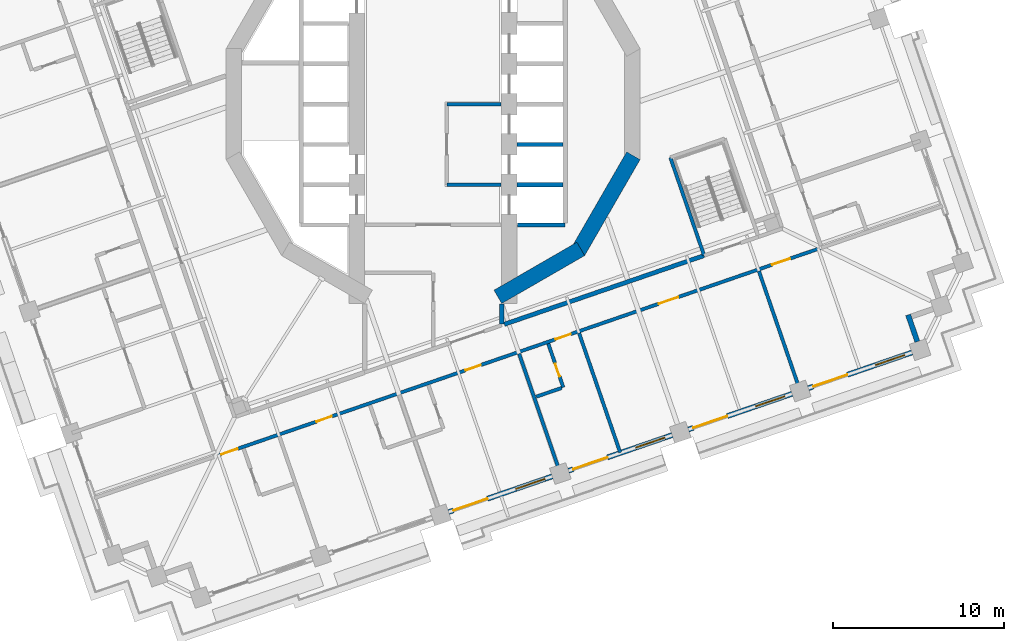
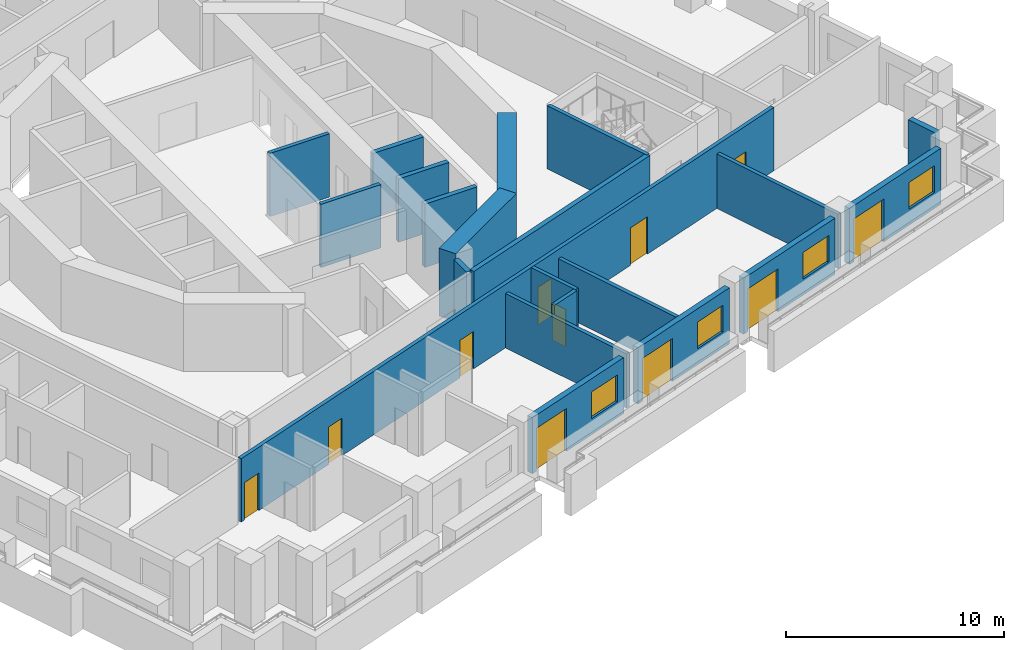
# One storey, part 6 of 19: 21 walls, 11 doors, 4 windows, 15 openings.
"""IFC4 building model written with IfcOpenShell, lengths in metres."""

from ifc_helpers import new_model, si_unit, direction, frame, frame_2d, origin, place, context, subcontext, project, spatial, rectangle, extrude, material, layer, layer_set, type_object, element, fill, save


model = new_model("IFC4")

# Units and contexts
model_context = context("Model", 3, precision=1e-05, world=origin(), true_north=direction((0.0, 1.0)))
body_context = subcontext(model_context, "Body", "Model", "MODEL_VIEW")
ifc_project = project(units=[si_unit("LENGTHUNIT", "METRE"), si_unit("AREAUNIT", "SQUARE_METRE"), si_unit("VOLUMEUNIT", "CUBIC_METRE"), si_unit("PLANEANGLEUNIT", "RADIAN"), si_unit("MASSUNIT", "GRAM", prefix="KILO")], contexts=[model_context])

# Site, building, storey
site_placement = place(None, origin())
site = spatial("IfcSite", under=ifc_project, at=site_placement, CompositionType="ELEMENT")
building_placement = place(site_placement, origin())
building = spatial("IfcBuilding", under=site, at=building_placement, Name="Cantera Rosa Tower", CompositionType="ELEMENT")
storey_placement = place(building_placement, frame((0.0, 0.0, 111.699951171875)))
storey = spatial("IfcBuildingStorey", under=building, at=storey_placement, Name="L22", CompositionType="ELEMENT", Elevation=111.699951171875)

# Wall, openings, doors
ifc_material_1 = material(Name="Gypsum board partition")
ifc_layer_1 = layer(ifc_material_1, 0.199951171875)
ifc_layer_set_1 = layer_set([ifc_layer_1], Name="CORRIDOR WALL 200 H3550")
wall_type_1 = type_object("IfcWallType", Name="CORRIDOR WALL 200 H3550", PredefinedType="PARTITIONING", material=ifc_layer_set_1)
wall_1_placement = place(storey_placement, frame((-12.58642578125, -20.515380859375, 0.0), z_axis=(0.0, 0.0, 1.0), x_axis=(0.945519939336, 0.325564193852, 0.0)))
wall_1 = element("IfcWall", 1, at=wall_1_placement, inside=storey, type_object=wall_type_1, Name="CORRIDOR WALL L22-028", PredefinedType="PARTITIONING", context=body_context, shape_type="SweptSolid", body=[
    extrude(rectangle(XDim=37.27978515625, YDim=0.199951171875, at=frame_2d((18.639892578125, 0.0))), origin(), (0.0, 0.0, 1.0), 3.550048828125),
])
opening_1_placement = place(wall_1_placement, frame((6.10498046875, 0.0, 0.0)))
opening_1 = element("IfcOpeningElement", 2, at=opening_1_placement, cuts=wall_1, Name="Opening L22-035", PredefinedType="OPENING", context=body_context, shape_type="SweptSolid", body=[
    extrude(rectangle(XDim=0.949951171875, YDim=2.10009765625, at=frame_2d((0.47509765625, 1.050048828125))), frame((0.0, 0.10986328125, 0.0), z_axis=(0.0, -1.0, 0.0), x_axis=(1.0, 0.0, 0.0)), (0.0, 0.0, 1.0), 0.219970703125),
])
opening_2_placement = place(wall_1_placement, frame((15.304931640625, 0.0, 0.0)))
opening_2 = element("IfcOpeningElement", 3, at=opening_2_placement, cuts=wall_1, Name="Opening L22-037", PredefinedType="OPENING", context=body_context, shape_type="SweptSolid", body=[
    extrude(rectangle(XDim=0.949951171875, YDim=2.10009765625, at=frame_2d((0.47509765625, 1.050048828125))), frame((0.0, 0.10986328125, 0.0), z_axis=(0.0, -1.0, 0.0), x_axis=(1.0, 0.0, 0.0)), (0.0, 0.0, 1.0), 0.219970703125),
])
opening_3_placement = place(wall_1_placement, frame((27.22998046875, 0.0, 0.0)))
opening_3 = element("IfcOpeningElement", 4, at=opening_3_placement, cuts=wall_1, Name="Opening L22-039", PredefinedType="OPENING", context=body_context, shape_type="SweptSolid", body=[
    extrude(rectangle(XDim=1.199951171875, YDim=2.10009765625, at=frame_2d((0.60009765625, 1.050048828125))), frame((0.0, 0.10986328125, 0.0), z_axis=(0.0, -1.0, 0.0), x_axis=(1.0, 0.0, 0.0)), (0.0, 0.0, 1.0), 0.219970703125),
])
opening_4_placement = place(wall_1_placement, frame((20.85498046875, 0.0, 0.0)))
opening_4 = element("IfcOpeningElement", 5, at=opening_4_placement, cuts=wall_1, Name="Opening L22-040", PredefinedType="OPENING", context=body_context, shape_type="SweptSolid", body=[
    extrude(rectangle(XDim=0.949951171875, YDim=2.10009765625, at=frame_2d((0.47509765625, 1.050048828125))), frame((0.0, 0.10986328125, 0.0), z_axis=(0.0, -1.0, 0.0), x_axis=(1.0, 0.0, 0.0)), (0.0, 0.0, 1.0), 0.219970703125),
])
opening_5_placement = place(wall_1_placement, frame((0.22998046875, 0.0, 0.0)))
opening_5 = element("IfcOpeningElement", 6, at=opening_5_placement, cuts=wall_1, Name="Opening L22-042", PredefinedType="OPENING", context=body_context, shape_type="SweptSolid", body=[
    extrude(rectangle(XDim=1.0, YDim=2.10009765625, at=frame_2d((0.5, 1.050048828125))), frame((0.0, 0.10986328125, 0.0), z_axis=(0.0, -1.0, 0.0), x_axis=(1.0, 0.0, 0.0)), (0.0, 0.0, 1.0), 0.219970703125),
])
opening_6_placement = place(wall_1_placement, frame((34.22998046875, 0.0, 0.0)))
opening_6 = element("IfcOpeningElement", 7, at=opening_6_placement, cuts=wall_1, Name="Opening L22-044", PredefinedType="OPENING", context=body_context, shape_type="SweptSolid", body=[
    extrude(rectangle(XDim=1.10009765625, YDim=2.10009765625, at=frame_2d((0.550048828125, 1.050048828125))), frame((0.0, 0.10986328125, 0.0), z_axis=(0.0, -1.0, 0.0), x_axis=(1.0, 0.0, 0.0)), (0.0, 0.0, 1.0), 0.219970703125),
])
ifc_material_2 = material(Name="Timber door leaf", Category="wood")
door_type_1 = type_object("IfcDoorType", Name="ENTRANCE DOOR 1000x2100", OperationType="NOTDEFINED", PredefinedType="DOOR", material=ifc_material_2)
door_1_placement = place(opening_5_placement, origin())
door_1 = element("IfcDoor", 8, at=door_1_placement, inside=storey, type_object=door_type_1, Name="DOOR L22-042", OperationType="NOTDEFINED", OverallHeight=2.10009765625, OverallWidth=1.0, PredefinedType="DOOR", context=body_context, shape_type="SweptSolid", body=[
    extrude(rectangle(XDim=1.0, YDim=2.10009765625, at=frame_2d((0.5, 1.050048828125))), frame((0.0, 0.02490234375, 0.0), z_axis=(0.0, -1.0, 0.0), x_axis=(1.0, 0.0, 0.0)), (0.0, 0.0, 1.0), 0.050048828125),
])
fill(opening_5, door_1)
ifc_material_3 = material(Name="Timber door leaf", Category="wood")
door_type_2 = type_object("IfcDoorType", Name="ROOM DOOR 1100x2100", OperationType="NOTDEFINED", PredefinedType="DOOR", material=ifc_material_3)
door_2_placement = place(opening_6_placement, origin())
door_2 = element("IfcDoor", 9, at=door_2_placement, inside=storey, type_object=door_type_2, Name="DOOR L22-044", OperationType="NOTDEFINED", OverallHeight=2.10009765625, OverallWidth=1.10009765625, PredefinedType="DOOR", context=body_context, shape_type="SweptSolid", body=[
    extrude(rectangle(XDim=1.10009765625, YDim=2.10009765625, at=frame_2d((0.550048828125, 1.050048828125))), frame((0.0, 0.02490234375, 0.0), z_axis=(0.0, -1.0, 0.0), x_axis=(1.0, 0.0, 0.0)), (0.0, 0.0, 1.0), 0.050048828125),
])
fill(opening_6, door_2)
ifc_material_4 = material(Name="Timber door leaf", Category="wood")
door_type_3 = type_object("IfcDoorType", Name="ROOM DOOR 1200x2100", OperationType="NOTDEFINED", PredefinedType="DOOR", material=ifc_material_4)
door_3_placement = place(opening_3_placement, origin())
door_3 = element("IfcDoor", 10, at=door_3_placement, inside=storey, type_object=door_type_3, Name="DOOR L22-039", OperationType="NOTDEFINED", OverallHeight=2.10009765625, OverallWidth=1.199951171875, PredefinedType="DOOR", context=body_context, shape_type="SweptSolid", body=[
    extrude(rectangle(XDim=1.199951171875, YDim=2.10009765625, at=frame_2d((0.60009765625, 1.050048828125))), frame((0.0, 0.02490234375, 0.0), z_axis=(0.0, -1.0, 0.0), x_axis=(1.0, 0.0, 0.0)), (0.0, 0.0, 1.0), 0.050048828125),
])
fill(opening_3, door_3)
ifc_material_5 = material(Name="Timber door leaf", Category="wood")
door_type_4 = type_object("IfcDoorType", Name="ROOM DOOR 950x2100", OperationType="NOTDEFINED", PredefinedType="DOOR", material=ifc_material_5)
door_4_placement = place(opening_1_placement, origin())
door_4 = element("IfcDoor", 11, at=door_4_placement, inside=storey, type_object=door_type_4, Name="DOOR L22-035", OperationType="NOTDEFINED", OverallHeight=2.10009765625, OverallWidth=0.949951171875, PredefinedType="DOOR", context=body_context, shape_type="SweptSolid", body=[
    extrude(rectangle(XDim=0.949951171875, YDim=2.10009765625, at=frame_2d((0.47509765625, 1.050048828125))), frame((0.0, 0.02490234375, 0.0), z_axis=(0.0, -1.0, 0.0), x_axis=(1.0, 0.0, 0.0)), (0.0, 0.0, 1.0), 0.050048828125),
])
fill(opening_1, door_4)
door_5_placement = place(opening_2_placement, origin())
door_5 = element("IfcDoor", 12, at=door_5_placement, inside=storey, type_object=door_type_4, Name="DOOR L22-037", OperationType="NOTDEFINED", OverallHeight=2.10009765625, OverallWidth=0.949951171875, PredefinedType="DOOR", context=body_context, shape_type="SweptSolid", body=[
    extrude(rectangle(XDim=0.949951171875, YDim=2.10009765625, at=frame_2d((0.47509765625, 1.050048828125))), frame((0.0, 0.02490234375, 0.0), z_axis=(0.0, -1.0, 0.0), x_axis=(1.0, 0.0, 0.0)), (0.0, 0.0, 1.0), 0.050048828125),
])
fill(opening_2, door_5)
door_6_placement = place(opening_4_placement, origin())
door_6 = element("IfcDoor", 13, at=door_6_placement, inside=storey, type_object=door_type_4, Name="DOOR L22-040", OperationType="NOTDEFINED", OverallHeight=2.10009765625, OverallWidth=0.949951171875, PredefinedType="DOOR", context=body_context, shape_type="SweptSolid", body=[
    extrude(rectangle(XDim=0.949951171875, YDim=2.10009765625, at=frame_2d((0.47509765625, 1.050048828125))), frame((0.0, 0.02490234375, 0.0), z_axis=(0.0, -1.0, 0.0), x_axis=(1.0, 0.0, 0.0)), (0.0, 0.0, 1.0), 0.050048828125),
])
fill(opening_4, door_6)

# Wall
ifc_material_6 = material(Name="Hollow clay masonry with cantera stone cladding", Category="masonry")
ifc_layer_2 = layer(ifc_material_6, 0.300048828125)
ifc_layer_set_2 = layer_set([ifc_layer_2], Name="EW-LOGGIA 300")
wall_type_2 = type_object("IfcWallType", Name="EW-LOGGIA 300", PredefinedType="SOLIDWALL", material=ifc_layer_set_2)
wall_2_placement = place(storey_placement, frame((28.250732421875, -13.857421875, 0.0), z_axis=(0.0, 0.0, 1.0), x_axis=(-0.325666906351, 0.945484566827, 0.0)))
element("IfcWall", 14, at=wall_2_placement, inside=storey, type_object=wall_type_2, Name="EN-L22-W29a", PredefinedType="SOLIDWALL", context=body_context, shape_type="SweptSolid", body=[
    extrude(rectangle(XDim=1.64990234375, YDim=0.300048828125, at=frame_2d((0.824951171875, 0.0))), origin(), (0.0, 0.0, 1.0), 3.5),
])

# Wall, openings, window, door
ifc_material_7 = material(Name="Hollow clay masonry with cantera stone cladding", Category="masonry")
ifc_layer_3 = layer(ifc_material_7, 0.300048828125)
ifc_layer_set_3 = layer_set([ifc_layer_3], Name="EW-LOGGIA 300 H3140")
wall_type_3 = type_object("IfcWallType", Name="EW-LOGGIA 300 H3140", PredefinedType="SOLIDWALL", material=ifc_layer_set_3)
wall_3_placement = place(storey_placement, frame((0.89892578125, -23.80419921875, 0.0), z_axis=(0.0, 0.0, 1.0), x_axis=(0.945524496524, 0.325550958337, 0.0)))
wall_3 = element("IfcWall", 15, at=wall_3_placement, inside=storey, type_object=wall_type_3, Name="EN-L22-W25", PredefinedType="SOLIDWALL", context=body_context, shape_type="SweptSolid", body=[
    extrude(rectangle(XDim=6.39990234375, YDim=0.300048828125, at=frame_2d((3.199951171875, 0.0))), origin(), (0.0, 0.0, 1.0), 3.14013671875),
])
opening_7_placement = place(wall_3_placement, frame((0.300048828125, 0.0, 0.0)))
opening_7 = element("IfcOpeningElement", 16, at=opening_7_placement, cuts=wall_3, Name="Opening L22-TD33", PredefinedType="OPENING", context=body_context, shape_type="SweptSolid", body=[
    extrude(rectangle(XDim=2.10009765625, YDim=2.39990234375, at=frame_2d((1.050048828125, 1.199951171875))), frame((0.0, 0.159912109375, 0.0), z_axis=(0.0, -1.0, 0.0), x_axis=(1.0, 0.0, 0.0)), (0.0, 0.0, 1.0), 0.320068359375),
])
opening_8_placement = place(wall_3_placement, frame((4.14990234375, 0.0, 0.89990234375)))
opening_8 = element("IfcOpeningElement", 17, at=opening_8_placement, cuts=wall_3, Name="Opening L22-W34", PredefinedType="OPENING", context=body_context, shape_type="SweptSolid", body=[
    extrude(rectangle(XDim=1.800048828125, YDim=1.5, at=frame_2d((0.89990234375, 0.75))), frame((0.0, 0.159912109375, 0.0), z_axis=(0.0, -1.0, 0.0), x_axis=(1.0, 0.0, 0.0)), (0.0, 0.0, 1.0), 0.320068359375),
])
ifc_material_8 = material(Name="Aluminium frame with clear glass", Category="aluminium")
window_type = type_object("IfcWindowType", Name="Hotel room window 1800x1500", PartitioningType="DOUBLE_PANEL_VERTICAL", PredefinedType="WINDOW", material=ifc_material_8)
window_1_placement = place(opening_8_placement, origin())
window_1 = element("IfcWindow", 18, at=window_1_placement, inside=storey, type_object=window_type, Name="WINDOW L22-W34", OverallHeight=1.5, OverallWidth=1.800048828125, PartitioningType="SINGLE_PANEL", PredefinedType="WINDOW", context=body_context, shape_type="SweptSolid", body=[
    extrude(rectangle(XDim=1.800048828125, YDim=1.5, at=frame_2d((0.89990234375, 0.75))), frame((0.0, 0.030029296875, 0.0), z_axis=(0.0, -1.0, 0.0), x_axis=(1.0, 0.0, 0.0)), (0.0, 0.0, 1.0), 0.06005859375),
])
fill(opening_8, window_1)
ifc_material_9 = material(Name="Aluminium frame with clear glass", Category="aluminium")
door_type_5 = type_object("IfcDoorType", Name="TD-H 2100x2400", OperationType="NOTDEFINED", PredefinedType="DOOR", material=ifc_material_9)
door_7_placement = place(opening_7_placement, origin())
door_7 = element("IfcDoor", 19, at=door_7_placement, inside=storey, type_object=door_type_5, Name="LOGGIA DOOR L22-TD33", OperationType="SLIDING_TO_LEFT", OverallHeight=2.39990234375, OverallWidth=2.10009765625, PredefinedType="DOOR", context=body_context, shape_type="SweptSolid", body=[
    extrude(rectangle(XDim=2.10009765625, YDim=2.39990234375, at=frame_2d((1.050048828125, 1.199951171875))), frame((0.0, 0.02490234375, 0.0), z_axis=(0.0, -1.0, 0.0), x_axis=(1.0, 0.0, 0.0)), (0.0, 0.0, 1.0), 0.050048828125),
])
fill(opening_7, door_7)

wall_4_placement = place(storey_placement, frame((7.895751953125, -21.39501953125, 0.0), z_axis=(0.0, 0.0, 1.0), x_axis=(0.945524496524, 0.325550958337, 0.0)))
wall_4 = element("IfcWall", 20, at=wall_4_placement, inside=storey, type_object=wall_type_3, Name="EN-L22-W26", PredefinedType="SOLIDWALL", context=body_context, shape_type="SweptSolid", body=[
    extrude(rectangle(XDim=6.39990234375, YDim=0.300048828125, at=frame_2d((3.199951171875, 0.0))), origin(), (0.0, 0.0, 1.0), 3.14013671875),
])
opening_9_placement = place(wall_4_placement, frame((0.300048828125, 0.0, 0.0)))
opening_9 = element("IfcOpeningElement", 21, at=opening_9_placement, cuts=wall_4, Name="Opening L22-TD35", PredefinedType="OPENING", context=body_context, shape_type="SweptSolid", body=[
    extrude(rectangle(XDim=2.10009765625, YDim=2.39990234375, at=frame_2d((1.050048828125, 1.199951171875))), frame((0.0, 0.159912109375, 0.0), z_axis=(0.0, -1.0, 0.0), x_axis=(1.0, 0.0, 0.0)), (0.0, 0.0, 1.0), 0.320068359375),
])
opening_10_placement = place(wall_4_placement, frame((4.14990234375, 0.0, 0.89990234375)))
opening_10 = element("IfcOpeningElement", 22, at=opening_10_placement, cuts=wall_4, Name="Opening L22-W36", PredefinedType="OPENING", context=body_context, shape_type="SweptSolid", body=[
    extrude(rectangle(XDim=1.800048828125, YDim=1.5, at=frame_2d((0.89990234375, 0.75))), frame((0.0, 0.159912109375, 0.0), z_axis=(0.0, -1.0, 0.0), x_axis=(1.0, 0.0, 0.0)), (0.0, 0.0, 1.0), 0.320068359375),
])
window_2_placement = place(opening_10_placement, origin())
window_2 = element("IfcWindow", 23, at=window_2_placement, inside=storey, type_object=window_type, Name="WINDOW L22-W36", OverallHeight=1.5, OverallWidth=1.800048828125, PartitioningType="SINGLE_PANEL", PredefinedType="WINDOW", context=body_context, shape_type="SweptSolid", body=[
    extrude(rectangle(XDim=1.800048828125, YDim=1.5, at=frame_2d((0.89990234375, 0.75))), frame((0.0, 0.030029296875, 0.0), z_axis=(0.0, -1.0, 0.0), x_axis=(1.0, 0.0, 0.0)), (0.0, 0.0, 1.0), 0.06005859375),
])
fill(opening_10, window_2)
door_8_placement = place(opening_9_placement, origin())
door_8 = element("IfcDoor", 24, at=door_8_placement, inside=storey, type_object=door_type_5, Name="LOGGIA DOOR L22-TD35", OperationType="SLIDING_TO_LEFT", OverallHeight=2.39990234375, OverallWidth=2.10009765625, PredefinedType="DOOR", context=body_context, shape_type="SweptSolid", body=[
    extrude(rectangle(XDim=2.10009765625, YDim=2.39990234375, at=frame_2d((1.050048828125, 1.199951171875))), frame((0.0, 0.02490234375, 0.0), z_axis=(0.0, -1.0, 0.0), x_axis=(1.0, 0.0, 0.0)), (0.0, 0.0, 1.0), 0.050048828125),
])
fill(opening_9, door_8)

wall_5_placement = place(storey_placement, frame((14.892578125, -18.98583984375, 0.0), z_axis=(0.0, 0.0, 1.0), x_axis=(0.945512753621, 0.325585062219, 0.0)))
wall_5 = element("IfcWall", 25, at=wall_5_placement, inside=storey, type_object=wall_type_3, Name="EN-L22-W27", PredefinedType="SOLIDWALL", context=body_context, shape_type="SweptSolid", body=[
    extrude(rectangle(XDim=6.39990234375, YDim=0.300048828125, at=frame_2d((3.199951171875, 0.0))), origin(), (0.0, 0.0, 1.0), 3.14013671875),
])
opening_11_placement = place(wall_5_placement, frame((0.300048828125, 0.0, 0.0)))
opening_11 = element("IfcOpeningElement", 26, at=opening_11_placement, cuts=wall_5, Name="Opening L22-TD37", PredefinedType="OPENING", context=body_context, shape_type="SweptSolid", body=[
    extrude(rectangle(XDim=2.10009765625, YDim=2.39990234375, at=frame_2d((1.050048828125, 1.199951171875))), frame((0.0, 0.159912109375, 0.0), z_axis=(0.0, -1.0, 0.0), x_axis=(1.0, 0.0, 0.0)), (0.0, 0.0, 1.0), 0.320068359375),
])
opening_12_placement = place(wall_5_placement, frame((4.14990234375, 0.0, 0.89990234375)))
opening_12 = element("IfcOpeningElement", 27, at=opening_12_placement, cuts=wall_5, Name="Opening L22-W38", PredefinedType="OPENING", context=body_context, shape_type="SweptSolid", body=[
    extrude(rectangle(XDim=1.800048828125, YDim=1.5, at=frame_2d((0.89990234375, 0.75))), frame((0.0, 0.159912109375, 0.0), z_axis=(0.0, -1.0, 0.0), x_axis=(1.0, 0.0, 0.0)), (0.0, 0.0, 1.0), 0.320068359375),
])
window_3_placement = place(opening_12_placement, origin())
window_3 = element("IfcWindow", 28, at=window_3_placement, inside=storey, type_object=window_type, Name="WINDOW L22-W38", OverallHeight=1.5, OverallWidth=1.800048828125, PartitioningType="SINGLE_PANEL", PredefinedType="WINDOW", context=body_context, shape_type="SweptSolid", body=[
    extrude(rectangle(XDim=1.800048828125, YDim=1.5, at=frame_2d((0.89990234375, 0.75))), frame((0.0, 0.030029296875, 0.0), z_axis=(0.0, -1.0, 0.0), x_axis=(1.0, 0.0, 0.0)), (0.0, 0.0, 1.0), 0.06005859375),
])
fill(opening_12, window_3)
door_9_placement = place(opening_11_placement, origin())
door_9 = element("IfcDoor", 29, at=door_9_placement, inside=storey, type_object=door_type_5, Name="LOGGIA DOOR L22-TD37", OperationType="SLIDING_TO_LEFT", OverallHeight=2.39990234375, OverallWidth=2.10009765625, PredefinedType="DOOR", context=body_context, shape_type="SweptSolid", body=[
    extrude(rectangle(XDim=2.10009765625, YDim=2.39990234375, at=frame_2d((1.050048828125, 1.199951171875))), frame((0.0, 0.02490234375, 0.0), z_axis=(0.0, -1.0, 0.0), x_axis=(1.0, 0.0, 0.0)), (0.0, 0.0, 1.0), 0.050048828125),
])
fill(opening_11, door_9)

wall_6_placement = place(storey_placement, frame((21.889404296875, -16.57666015625, 0.0), z_axis=(0.0, 0.0, 1.0), x_axis=(0.945512753621, 0.325585062219, 0.0)))
wall_6 = element("IfcWall", 30, at=wall_6_placement, inside=storey, type_object=wall_type_3, Name="EN-L22-W28", PredefinedType="SOLIDWALL", context=body_context, shape_type="SweptSolid", body=[
    extrude(rectangle(XDim=6.39990234375, YDim=0.300048828125, at=frame_2d((3.199951171875, 0.0))), origin(), (0.0, 0.0, 1.0), 3.14013671875),
])
opening_13_placement = place(wall_6_placement, frame((0.300048828125, 0.0, 0.0)))
opening_13 = element("IfcOpeningElement", 31, at=opening_13_placement, cuts=wall_6, Name="Opening L22-TD39", PredefinedType="OPENING", context=body_context, shape_type="SweptSolid", body=[
    extrude(rectangle(XDim=2.10009765625, YDim=2.39990234375, at=frame_2d((1.050048828125, 1.199951171875))), frame((0.0, 0.159912109375, 0.0), z_axis=(0.0, -1.0, 0.0), x_axis=(1.0, 0.0, 0.0)), (0.0, 0.0, 1.0), 0.320068359375),
])
opening_14_placement = place(wall_6_placement, frame((4.14990234375, 0.0, 0.89990234375)))
opening_14 = element("IfcOpeningElement", 32, at=opening_14_placement, cuts=wall_6, Name="Opening L22-W40", PredefinedType="OPENING", context=body_context, shape_type="SweptSolid", body=[
    extrude(rectangle(XDim=1.800048828125, YDim=1.5, at=frame_2d((0.89990234375, 0.75))), frame((0.0, 0.159912109375, 0.0), z_axis=(0.0, -1.0, 0.0), x_axis=(1.0, 0.0, 0.0)), (0.0, 0.0, 1.0), 0.320068359375),
])
window_4_placement = place(opening_14_placement, origin())
window_4 = element("IfcWindow", 33, at=window_4_placement, inside=storey, type_object=window_type, Name="WINDOW L22-W40", OverallHeight=1.5, OverallWidth=1.800048828125, PartitioningType="SINGLE_PANEL", PredefinedType="WINDOW", context=body_context, shape_type="SweptSolid", body=[
    extrude(rectangle(XDim=1.800048828125, YDim=1.5, at=frame_2d((0.89990234375, 0.75))), frame((0.0, 0.030029296875, 0.0), z_axis=(0.0, -1.0, 0.0), x_axis=(1.0, 0.0, 0.0)), (0.0, 0.0, 1.0), 0.06005859375),
])
fill(opening_14, window_4)
door_10_placement = place(opening_13_placement, origin())
door_10 = element("IfcDoor", 34, at=door_10_placement, inside=storey, type_object=door_type_5, Name="LOGGIA DOOR L22-TD39", OperationType="SLIDING_TO_LEFT", OverallHeight=2.39990234375, OverallWidth=2.10009765625, PredefinedType="DOOR", context=body_context, shape_type="SweptSolid", body=[
    extrude(rectangle(XDim=2.10009765625, YDim=2.39990234375, at=frame_2d((1.050048828125, 1.199951171875))), frame((0.0, 0.02490234375, 0.0), z_axis=(0.0, -1.0, 0.0), x_axis=(1.0, 0.0, 0.0)), (0.0, 0.0, 1.0), 0.050048828125),
])
fill(opening_13, door_10)

# Wall
ifc_material_10 = material(Name="Gypsum board partition")
ifc_layer_4 = layer(ifc_material_10, 0.199951171875)
ifc_layer_set_4 = layer_set([ifc_layer_4], Name="PARTITION 200 H3050")
wall_type_4 = type_object("IfcWallType", Name="PARTITION 200 H3050", PredefinedType="PARTITIONING", material=ifc_layer_set_4)
wall_7_placement = place(storey_placement, frame((19.00732421875, -9.74267578125, 0.0), z_axis=(0.0, 0.0, 1.0), x_axis=(0.325603730276, -0.945506325114, 0.0)))
element("IfcWall", 35, at=wall_7_placement, inside=storey, type_object=wall_type_4, Name="PARTITION L22-100", PredefinedType="PARTITIONING", context=body_context, shape_type="SweptSolid", body=[
    extrude(rectangle(XDim=7.369873046875, YDim=0.199951171875, at=frame_2d((3.68505859375, 0.0))), origin(), (0.0, 0.0, 1.0), 3.050048828125),
])

# Wall, opening, door
ifc_material_11 = material(Name="Gypsum board partition")
ifc_layer_5 = layer(ifc_material_11, 0.199951171875)
ifc_layer_set_5 = layer_set([ifc_layer_5], Name="PARTITION 200 H3550")
wall_type_5 = type_object("IfcWallType", Name="PARTITION 200 H3550", PredefinedType="PARTITIONING", material=ifc_layer_set_5)
wall_8_placement = place(storey_placement, frame((6.7158203125, -13.97509765625, 0.0), z_axis=(0.0, 0.0, 1.0), x_axis=(0.325544748006, -0.945526634763, 0.0)))
wall_8 = element("IfcWall", 36, at=wall_8_placement, inside=storey, type_object=wall_type_5, Name="PARTITION L22-078", PredefinedType="PARTITIONING", context=body_context, shape_type="SweptSolid", body=[
    extrude(rectangle(XDim=2.69970703125, YDim=0.199951171875, at=frame_2d((1.349853515625, 0.0))), origin(), (0.0, 0.0, 1.0), 3.550048828125),
])
opening_15_placement = place(wall_8_placement, frame((1.236083984375, 0.0, 0.0)))
opening_15 = element("IfcOpeningElement", 37, at=opening_15_placement, cuts=wall_8, Name="Opening L22-041", PredefinedType="OPENING", context=body_context, shape_type="SweptSolid", body=[
    extrude(rectangle(XDim=0.800048828125, YDim=2.10009765625, at=frame_2d((0.39990234375, 1.050048828125))), frame((0.0, 0.10986328125, 0.0), z_axis=(0.0, -1.0, 0.0), x_axis=(1.0, 0.0, 0.0)), (0.0, 0.0, 1.0), 0.219970703125),
])
ifc_material_12 = material(Name="Timber door leaf", Category="wood")
door_type_6 = type_object("IfcDoorType", Name="BATHROOM DOOR 800x2100", OperationType="NOTDEFINED", PredefinedType="DOOR", material=ifc_material_12)
door_11_placement = place(opening_15_placement, origin())
door_11 = element("IfcDoor", 38, at=door_11_placement, inside=storey, type_object=door_type_6, Name="DOOR L22-041", OperationType="NOTDEFINED", OverallHeight=2.10009765625, OverallWidth=0.800048828125, PredefinedType="DOOR", context=body_context, shape_type="SweptSolid", body=[
    extrude(rectangle(XDim=0.800048828125, YDim=2.10009765625, at=frame_2d((0.39990234375, 1.050048828125))), frame((0.0, 0.02490234375, 0.0), z_axis=(0.0, -1.0, 0.0), x_axis=(1.0, 0.0, 0.0)), (0.0, 0.0, 1.0), 0.050048828125),
])
fill(opening_15, door_11)

# Walls
wall_9_placement = place(storey_placement, frame((7.500244140625, -16.560302734375, 0.0), z_axis=(0.0, 0.0, 1.0), x_axis=(-0.945532128907, -0.325528790132, 0.0)))
element("IfcWall", 39, at=wall_9_placement, inside=storey, type_object=wall_type_5, Name="PARTITION L22-079", PredefinedType="PARTITIONING", context=body_context, shape_type="SweptSolid", body=[
    extrude(rectangle(XDim=1.580322265625, YDim=0.199951171875, at=frame_2d((0.7900390625, 0.0))), origin(), (0.0, 0.0, 1.0), 3.550048828125),
])
ifc_material_13 = material(Name="Gypsum board partition")
ifc_layer_6 = layer(ifc_material_13, 0.199951171875)
ifc_layer_set_6 = layer_set([ifc_layer_6], Name="PARTY WALL 200 H3050")
wall_type_6 = type_object("IfcWallType", Name="PARTY WALL 200 H3050", PredefinedType="PARTITIONING", material=ifc_layer_set_6)
for number, where, z_axis, x_axis, name in (
    (40, (5.013671875, -14.56103515625, 0.0), (0.0, 0.0, 1.0), (0.325563917555, -0.945520034471, 0.0), "PARTY WALL L22-075"),
    (41, (8.51220703125, -13.3564453125, 0.0), (0.0, 0.0, 1.0), (0.325563917555, -0.945520034471, 0.0), "PARTY WALL L22-086"),
):
    element("IfcWall", number, at=place(storey_placement, frame(where, z_axis=z_axis, x_axis=x_axis)), inside=storey, type_object=wall_type_6, Name=name, PredefinedType="PARTITIONING", context=body_context, shape_type="SweptSolid", body=[
        extrude(rectangle(XDim=7.3701171875, YDim=0.199951171875, at=frame_2d((3.68505859375, 0.0))), origin(), (0.0, 0.0, 1.0), 3.050048828125),
    ])
ifc_material_14 = material(Name="Concrete C70/85", Category="concrete")
ifc_layer_7 = layer(ifc_material_14, 0.89990234375)
ifc_layer_set_7 = layer_set([ifc_layer_7], Name="RC CORE WALL 900 C70/85")
wall_type_7 = type_object("IfcWallType", Name="RC CORE WALL 900 C70/85", PredefinedType="SHEAR", material=ifc_layer_set_7)
wall_10_placement = place(storey_placement, frame((11.684326171875, -3.01025390625, 0.0), z_axis=(0.0, 0.0, 1.0), x_axis=(-0.499990282633, -0.866031014036, 0.0)))
element("IfcWall", 42, at=wall_10_placement, inside=storey, type_object=wall_type_7, Name="CW-E4 L22", PredefinedType="SHEAR", context=body_context, shape_type="SweptSolid", body=[
    extrude(rectangle(XDim=6.470458984375, YDim=0.89990234375, at=frame_2d((3.2353515625, 0.0))), origin(), (0.0, 0.0, 1.0), 3.800048828125),
])
wall_11_placement = place(storey_placement, frame((8.61376953125, -8.44921875, 0.0), z_axis=(0.0, 0.0, 1.0), x_axis=(-0.866026961591, -0.49999730179, 0.0)))
element("IfcWall", 43, at=wall_11_placement, inside=storey, type_object=wall_type_7, Name="CW-E5 L22", PredefinedType="SHEAR", context=body_context, shape_type="SweptSolid", body=[
    extrude(rectangle(XDim=5.58740234375, YDim=0.89990234375, at=frame_2d((2.793701171875, 0.0))), origin(), (0.0, 0.0, 1.0), 3.800048828125),
])
ifc_material_15 = material(Name="Masonry blockwork", Category="masonry")
ifc_layer_8 = layer(ifc_material_15, 0.25)
ifc_layer_set_8 = layer_set([ifc_layer_8], Name="SHAFT WALL 250 H3550")
wall_type_8 = type_object("IfcWallType", Name="SHAFT WALL 250 H3550", PredefinedType="SOLIDWALL", material=ifc_layer_set_8)
wall_12_placement = place(storey_placement, frame((4.0, -12.820556640625, 0.0), z_axis=(0.0, 0.0, 1.0), x_axis=(0.0, 1.0, 0.0)))
element("IfcWall", 44, at=wall_12_placement, inside=storey, type_object=wall_type_8, Name="SHAFT WALL L22-068", PredefinedType="SOLIDWALL", context=body_context, shape_type="SweptSolid", body=[
    extrude(rectangle(XDim=1.1533203125, YDim=0.25, at=frame_2d((0.57666015625, 0.0))), origin(), (0.0, 0.0, 1.0), 3.550048828125),
])
wall_13_placement = place(storey_placement, frame((4.1513671875, -12.848388671875, 0.0), z_axis=(0.0, 0.0, 1.0), x_axis=(0.945518903658, 0.325567201704, 0.0)))
element("IfcWall", 45, at=wall_13_placement, inside=storey, type_object=wall_type_8, Name="SHAFT WALL L22-069", PredefinedType="SOLIDWALL", context=body_context, shape_type="SweptSolid", body=[
    extrude(rectangle(XDim=12.331298828125, YDim=0.25, at=frame_2d((6.16552734375, 0.0))), origin(), (0.0, 0.0, 1.0), 3.550048828125),
])
wall_14_placement = place(storey_placement, frame((4.89990234375, -4.699951171875, 0.0), z_axis=(0.0, 0.0, 1.0), x_axis=(1.0, 0.0, 0.0)))
element("IfcWall", 46, at=wall_14_placement, inside=storey, type_object=wall_type_8, Name="SHAFT WALL L22-072", PredefinedType="SOLIDWALL", context=body_context, shape_type="SweptSolid", body=[
    extrude(rectangle(XDim=2.675048828125, YDim=0.25, at=frame_2d((1.33740234375, 0.0))), origin(), (0.0, 0.0, 1.0), 3.550048828125),
])
wall_15_placement = place(storey_placement, frame((4.929931640625, -7.050048828125, 0.0), z_axis=(0.0, 0.0, 1.0), x_axis=(1.0, 0.0, 0.0)))
element("IfcWall", 47, at=wall_15_placement, inside=storey, type_object=wall_type_8, Name="SHAFT WALL L22-074", PredefinedType="SOLIDWALL", context=body_context, shape_type="SweptSolid", body=[
    extrude(rectangle(XDim=2.77001953125, YDim=0.25, at=frame_2d((1.385009765625, 0.0))), origin(), (0.0, 0.0, 1.0), 3.550048828125),
])
wall_16_placement = place(storey_placement, frame((7.574951171875, -2.35009765625, 0.0), z_axis=(0.0, 0.0, 1.0), x_axis=(-1.0, 0.0, 0.0)))
element("IfcWall", 48, at=wall_16_placement, inside=storey, type_object=wall_type_8, Name="SHAFT WALL L22-081", PredefinedType="SOLIDWALL", context=body_context, shape_type="SweptSolid", body=[
    extrude(rectangle(XDim=2.675048828125, YDim=0.25, at=frame_2d((1.33740234375, 0.0))), origin(), (0.0, 0.0, 1.0), 3.550048828125),
])
ifc_material_16 = material(Name="Concrete C50/60", Category="concrete")
ifc_layer_9 = layer(ifc_material_16, 0.199951171875)
ifc_layer_set_9 = layer_set([ifc_layer_9], Name="STAIR WALL 200 H3550")
wall_type_9 = type_object("IfcWallType", Name="STAIR WALL 200 H3550", PredefinedType="SOLIDWALL", material=ifc_layer_set_9)
for number, where, z_axis, x_axis, name in (
    (49, (0.800048828125, 0.0, 0.0), (0.0, 0.0, 1.0), (1.0, 0.0, 0.0), "STAIR WALL L22-065"),
    (50, (3.969970703125, -4.699951171875, 0.0), (0.0, 0.0, 1.0), (-1.0, 0.0, 0.0), "STAIR WALL L22-067"),
):
    element("IfcWall", number, at=place(storey_placement, frame(where, z_axis=z_axis, x_axis=x_axis)), inside=storey, type_object=wall_type_9, Name=name, PredefinedType="SOLIDWALL", context=body_context, shape_type="SweptSolid", body=[
        extrude(rectangle(XDim=3.169921875, YDim=0.199951171875, at=frame_2d((1.5849609375, 0.0))), origin(), (0.0, 0.0, 1.0), 3.550048828125),
    ])
wall_17_placement = place(storey_placement, frame((13.839599609375, -3.10888671875, 0.0), z_axis=(0.0, 0.0, 1.0), x_axis=(0.325563172411, -0.945520291041, 0.0)))
element("IfcWall", 51, at=wall_17_placement, inside=storey, type_object=wall_type_9, Name="STAIR WALL L22-095", PredefinedType="SOLIDWALL", context=body_context, shape_type="SweptSolid", body=[
    extrude(rectangle(XDim=6.0546875, YDim=0.199951171875, at=frame_2d((3.02734375, 0.0))), origin(), (0.0, 0.0, 1.0), 3.550048828125),
])

save(model, "model.ifc")
